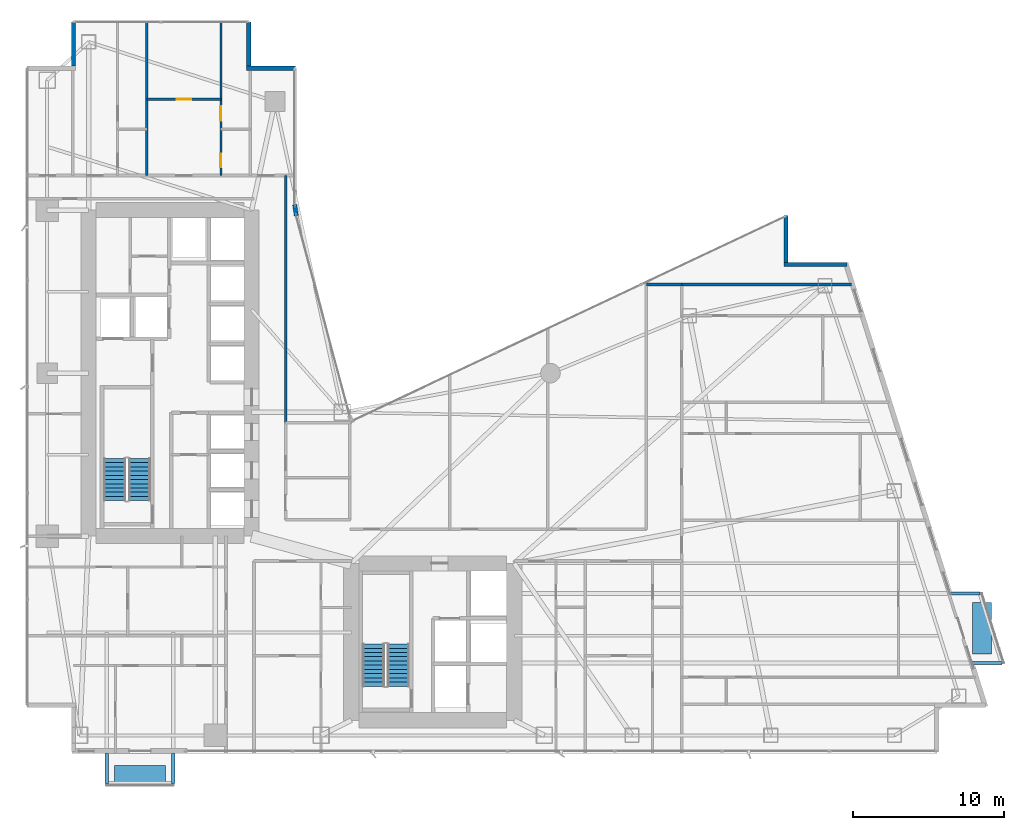
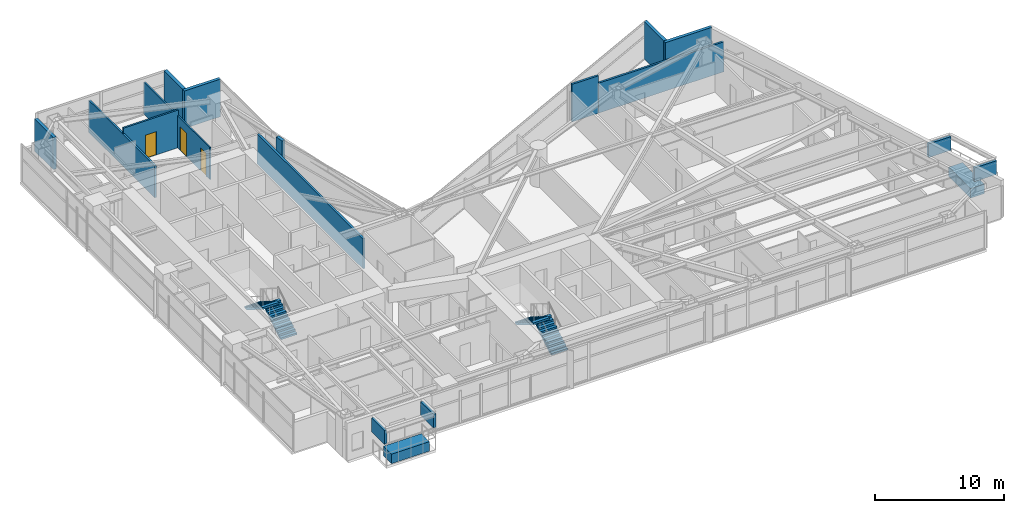
# One storey, part 26 of 30: 12 walls, 6 discrete accessories, 4 stair flights, 3 doors, 3 openings, 2 elements without a shape of their own.
"""IFC4 building model written with IfcOpenShell, lengths in metres."""

from ifc_helpers import new_model, si_unit, direction, frame, frame_2d, origin, origin_2d, place, context, subcontext, project, spatial, polyline, rectangle, outline, extrude, material, layer, layer_set, type_object, element, fill, aggregate, save


model = new_model("IFC4")

# Units and contexts
model_context = context("Model", 3, precision=1e-05, world=origin(), true_north=direction((0.0, 1.0)))
body_context = subcontext(model_context, "Body", "Model", "MODEL_VIEW")
ifc_project = project(units=[si_unit("LENGTHUNIT", "METRE"), si_unit("AREAUNIT", "SQUARE_METRE"), si_unit("VOLUMEUNIT", "CUBIC_METRE"), si_unit("PLANEANGLEUNIT", "RADIAN"), si_unit("MASSUNIT", "GRAM", prefix="KILO")], contexts=[model_context])

# Site, building, storey
site_placement = place(None, origin())
site = spatial("IfcSite", under=ifc_project, at=site_placement, CompositionType="ELEMENT")
building_placement = place(site_placement, origin())
building = spatial("IfcBuilding", under=site, at=building_placement, Name="Calvorn Quay Hotel", CompositionType="ELEMENT")
storey_placement = place(building_placement, frame((0.0, 0.0, 73.60009765625)))
storey = spatial("IfcBuildingStorey", under=building, at=storey_placement, Name="L17", CompositionType="ELEMENT", Elevation=73.60009765625)

# Walls
ifc_material_1 = material(Name="Acoustic Fireboard Steel-Stud Partition", Category="steel")
ifc_layer_1 = layer(ifc_material_1, 0.179931640625)
ifc_layer_set_1 = layer_set([ifc_layer_1], Name="WL-CORR-FIRE-180")
wall_type_1 = type_object("IfcWallType", Name="WL-CORR-FIRE-180", PredefinedType="PARTITIONING", material=ifc_layer_set_1)
wall_1_placement = place(storey_placement, frame((17.25, 24.300048828125, 0.0), z_axis=(0.0, 0.0, 1.0), x_axis=(0.0, 1.0, 0.0)))
element("IfcWall", 1, at=wall_1_placement, inside=storey, type_object=wall_type_1, Name="Partition Wall L17-WL-NW-CLOSURE-E", PredefinedType="PARTITIONING", context=body_context, shape_type="SweptSolid", body=[
    extrude(rectangle(XDim=16.39990234375, YDim=0.179931640625, at=frame_2d((8.199951171875, 0.0))), origin(), (0.0, 0.0, 1.0), 2.83984375),
])
wall_2_placement = place(storey_placement, frame((43.5, 33.47998046875, 0.0), z_axis=(0.0, 0.0, 1.0), x_axis=(1.0, 0.0, 0.0)))
element("IfcWall", 2, at=wall_2_placement, inside=storey, type_object=wall_type_1, Name="Partition Wall L17-WL-TIP-N", PredefinedType="PARTITIONING", context=body_context, shape_type="SweptSolid", body=[
    extrude(rectangle(XDim=11.260009765625, YDim=0.179931640625, at=frame_2d((5.6298828125, 0.0))), origin(), (0.0, 0.0, 1.0), 2.83984375),
])
wall_3_placement = place(storey_placement, frame((41.14990234375, 33.47998046875, 0.0), z_axis=(0.0, 0.0, 1.0), x_axis=(1.0, 0.0, 0.0)))
element("IfcWall", 3, at=wall_3_placement, inside=storey, type_object=wall_type_1, Name="Partition Wall L17-WL-CORR-TIP-NN", PredefinedType="PARTITIONING", context=body_context, shape_type="SweptSolid", body=[
    extrude(rectangle(XDim=2.35009765625, YDim=0.179931640625, at=frame_2d((1.175048828125, 0.0))), origin(), (0.0, 0.0, 1.0), 3.559814453125),
])

# Wall, openings, doors
ifc_material_2 = material(Name="Moisture-Resistant Tile-Backed Partition")
ifc_layer_2 = layer(ifc_material_2, 0.125)
ifc_layer_set_2 = layer_set([ifc_layer_2], Name="WL-ENSUITE-125")
wall_type_2 = type_object("IfcWallType", Name="WL-ENSUITE-125", PredefinedType="PARTITIONING", material=ifc_layer_set_2)
wall_4_placement = place(storey_placement, frame((12.9599609375, 40.699951171875, 0.0), z_axis=(0.0, 0.0, 1.0), x_axis=(0.0, 1.0, 0.0)))
wall_4 = element("IfcWall", 4, at=wall_4_placement, inside=storey, type_object=wall_type_2, Name="Partition Wall L17-WL-U05-BV", PredefinedType="PARTITIONING", context=body_context, shape_type="SweptSolid", body=[
    extrude(rectangle(XDim=10.239990234375, YDim=0.125, at=frame_2d((5.1201171875, 0.0))), origin(), (0.0, 0.0, 1.0), 3.039794921875),
])
opening_1_placement = place(wall_4_placement, frame((0.550048828125, 0.0, 0.0)))
opening_1 = element("IfcOpeningElement", 5, at=opening_1_placement, cuts=wall_4, Name="Opening D-L17-E05", PredefinedType="OPENING", context=body_context, shape_type="SweptSolid", body=[
    extrude(rectangle(XDim=0.89990234375, YDim=2.14990234375, at=frame_2d((0.449951171875, 1.074951171875))), frame((0.0, 0.072509765625, 0.0), z_axis=(0.0, -1.0, 0.0), x_axis=(1.0, 0.0, 0.0)), (0.0, 0.0, 1.0), 0.14501953125),
])
opening_2_placement = place(wall_4_placement, frame((3.6201171875, 0.0, 0.0)))
opening_2 = element("IfcOpeningElement", 6, at=opening_2_placement, cuts=wall_4, Name="Opening D-L17-S05", PredefinedType="OPENING", context=body_context, shape_type="SweptSolid", body=[
    extrude(rectangle(XDim=0.9599609375, YDim=2.199951171875, at=frame_2d((0.47998046875, 1.10009765625))), frame((0.0, 0.072509765625, 0.0), z_axis=(0.0, -1.0, 0.0), x_axis=(1.0, 0.0, 0.0)), (0.0, 0.0, 1.0), 0.14501953125),
])
ifc_material_3 = material(Name="Moisture-Sealed Timber En-Suite Door", Category="wood")
door_type_1 = type_object("IfcDoorType", Name="DR-ENSUITE-900", OperationType="NOTDEFINED", PredefinedType="DOOR", material=ifc_material_3)
door_1_placement = place(opening_1_placement, origin())
door_1 = element("IfcDoor", 7, at=door_1_placement, inside=storey, type_object=door_type_1, Name="En-Suite Door 05", OperationType="SINGLE_SWING_LEFT", OverallHeight=2.14990234375, OverallWidth=0.89990234375, PredefinedType="DOOR", context=body_context, shape_type="SweptSolid", body=[
    extrude(rectangle(XDim=0.89990234375, YDim=2.14990234375, at=frame_2d((0.449951171875, 1.074951171875))), frame((0.0, 0.02490234375, 0.0), z_axis=(0.0, -1.0, 0.0), x_axis=(1.0, 0.0, 0.0)), (0.0, 0.0, 1.0), 0.050048828125),
])
fill(opening_1, door_1)
ifc_material_4 = material(Name="Solid Timber Internal Suite Door", Category="wood")
door_type_2 = type_object("IfcDoorType", Name="DR-SUITE-INT-960", OperationType="NOTDEFINED", PredefinedType="DOOR", material=ifc_material_4)
door_2_placement = place(opening_2_placement, origin())
door_2 = element("IfcDoor", 8, at=door_2_placement, inside=storey, type_object=door_type_2, Name="Botanical Winter Garden Door 05", OperationType="SINGLE_SWING_RIGHT", OverallHeight=2.199951171875, OverallWidth=0.9599609375, PredefinedType="DOOR", context=body_context, shape_type="SweptSolid", body=[
    extrude(rectangle(XDim=0.9599609375, YDim=2.199951171875, at=frame_2d((0.47998046875, 1.10009765625))), frame((0.0, 0.02490234375, 0.0), z_axis=(0.0, -1.0, 0.0), x_axis=(1.0, 0.0, 0.0)), (0.0, 0.0, 1.0), 0.050048828125),
])
fill(opening_2, door_2)

# Walls
ifc_material_5 = material(Name="Concrete C40", Category="concrete")
ifc_layer_3 = layer(ifc_material_5, 0.320068359375)
ifc_layer_set_3 = layer_set([ifc_layer_3], Name="WL-EXT-SPANDREL-320")
wall_type_3 = type_object("IfcWallType", Name="WL-EXT-SPANDREL-320", PredefinedType="SOLIDWALL", material=ifc_layer_set_3)
wall_5_placement = place(storey_placement, frame((17.9619140625, 38.030029296875, 0.0), z_axis=(0.0, 0.0, 1.0), x_axis=(-0.15141125477, 0.988470855377, 0.0)))
element("IfcWall", 9, at=wall_5_placement, inside=storey, type_object=wall_type_3, Name="Inner Court Corner Pier L17-ICJ2", PredefinedType="SOLIDWALL", context=body_context, shape_type="SweptSolid", body=[
    extrude(rectangle(XDim=0.738525390625, YDim=0.280029296875, at=frame_2d((0.369140625, 0.0))), origin(), (0.0, 0.0, 1.0), 3.559814453125),
])
wall_6_placement = place(storey_placement, frame((54.43994140625, 34.800048828125, 0.0), z_axis=(0.0, 0.0, 1.0), x_axis=(-1.0, 0.0, 0.0)))
element("IfcWall", 10, at=wall_6_placement, inside=storey, type_object=wall_type_3, Name="Notched Corner Spandrel L17-NE1", PredefinedType="SOLIDWALL", context=body_context, shape_type="SweptSolid", body=[
    extrude(rectangle(XDim=4.179931640625, YDim=0.280029296875, at=frame_2d((2.08984375, 0.0))), origin(), (0.0, 0.0, 1.0), 3.559814453125),
])
wall_7_placement = place(storey_placement, frame((50.39990234375, 34.93994140625, 0.0), z_axis=(0.0, 0.0, 1.0), x_axis=(0.0, 1.0, 0.0)))
element("IfcWall", 11, at=wall_7_placement, inside=storey, type_object=wall_type_3, Name="Notched Corner Spandrel L17-NE2", PredefinedType="SOLIDWALL", context=body_context, shape_type="SweptSolid", body=[
    extrude(rectangle(XDim=3.10009765625, YDim=0.280029296875, at=frame_2d((1.550048828125, 0.0))), origin(), (0.0, 0.0, 1.0), 3.559814453125),
])
wall_8_placement = place(storey_placement, frame((17.89990234375, 47.800048828125, 0.0), z_axis=(0.0, 0.0, 1.0), x_axis=(-1.0, 0.0, 0.0)))
element("IfcWall", 12, at=wall_8_placement, inside=storey, type_object=wall_type_3, Name="Notched Corner Spandrel L17-NWE1", PredefinedType="SOLIDWALL", context=body_context, shape_type="SweptSolid", body=[
    extrude(rectangle(XDim=3.239990234375, YDim=0.280029296875, at=frame_2d((1.6201171875, 0.0))), origin(), (0.0, 0.0, 1.0), 3.559814453125),
])
wall_9_placement = place(storey_placement, frame((14.800048828125, 47.93994140625, 0.0), z_axis=(0.0, 0.0, 1.0), x_axis=(0.0, 1.0, 0.0)))
element("IfcWall", 13, at=wall_9_placement, inside=storey, type_object=wall_type_3, Name="Notched Corner Spandrel L17-NWE2", PredefinedType="SOLIDWALL", context=body_context, shape_type="SweptSolid", body=[
    extrude(rectangle(XDim=2.93994140625, YDim=0.280029296875, at=frame_2d((1.469970703125, 0.0))), origin(), (0.0, 0.0, 1.0), 3.559814453125),
])
wall_10_placement = place(storey_placement, frame((3.199951171875, 50.8798828125, 0.0), z_axis=(0.0, 0.0, 1.0), x_axis=(0.0, -1.0, 0.0)))
element("IfcWall", 14, at=wall_10_placement, inside=storey, type_object=wall_type_3, Name="Notched Corner Spandrel L17-NW1", PredefinedType="SOLIDWALL", context=body_context, shape_type="SweptSolid", body=[
    extrude(rectangle(XDim=2.93994140625, YDim=0.280029296875, at=frame_2d((1.469970703125, 0.0))), origin(), (0.0, 0.0, 1.0), 3.039794921875),
])

# Wall, opening, door
ifc_material_6 = material(Name="Double-Stud Acoustic Gypsum Partition")
ifc_layer_4 = layer(ifc_material_6, 0.159912109375)
ifc_layer_set_4 = layer_set([ifc_layer_4], Name="WL-INTERSUITE-160")
wall_type_4 = type_object("IfcWallType", Name="WL-INTERSUITE-160", PredefinedType="PARTITIONING", material=ifc_layer_set_4)
wall_11_placement = place(storey_placement, frame((8.050048828125, 45.75, 0.0), z_axis=(0.0, 0.0, 1.0), x_axis=(1.0, 0.0, 0.0)))
wall_11 = element("IfcWall", 15, at=wall_11_placement, inside=storey, type_object=wall_type_4, Name="Partition Wall L17-WL-U05-MSP", PredefinedType="PARTITIONING", context=body_context, shape_type="SweptSolid", body=[
    extrude(rectangle(XDim=4.909912109375, YDim=0.159912109375, at=frame_2d((2.455078125, 0.0))), origin(), (0.0, 0.0, 1.0), 3.559814453125),
])
opening_3_placement = place(wall_11_placement, frame((1.97998046875, 0.0, 0.0)))
opening_3 = element("IfcOpeningElement", 16, at=opening_3_placement, cuts=wall_11, Name="Opening D-L17-M05", PredefinedType="OPENING", context=body_context, shape_type="SweptSolid", body=[
    extrude(rectangle(XDim=0.9599609375, YDim=2.199951171875, at=frame_2d((0.47998046875, 1.10009765625))), frame((0.0, 0.08984375, 0.0), z_axis=(0.0, -1.0, 0.0), x_axis=(1.0, 0.0, 0.0)), (0.0, 0.0, 1.0), 0.179931640625),
])
door_3_placement = place(opening_3_placement, origin())
door_3 = element("IfcDoor", 17, at=door_3_placement, inside=storey, type_object=door_type_2, Name="Suite Bedroom Door 05", OperationType="SINGLE_SWING_LEFT", OverallHeight=2.199951171875, OverallWidth=0.9599609375, PredefinedType="DOOR", context=body_context, shape_type="SweptSolid", body=[
    extrude(rectangle(XDim=0.9599609375, YDim=2.199951171875, at=frame_2d((0.47998046875, 1.10009765625))), frame((0.0, 0.02490234375, 0.0), z_axis=(0.0, -1.0, 0.0), x_axis=(1.0, 0.0, 0.0)), (0.0, 0.0, 1.0), 0.050048828125),
])
fill(opening_3, door_3)

# Wall
wall_12_placement = place(storey_placement, frame((8.050048828125, 40.699951171875, 0.0), z_axis=(0.0, 0.0, 1.0), x_axis=(0.0, 1.0, 0.0)))
element("IfcWall", 18, at=wall_12_placement, inside=storey, type_object=wall_type_4, Name="Partition Wall L17-WL-NW-DIV-1", PredefinedType="PARTITIONING", context=body_context, shape_type="SweptSolid", body=[
    extrude(rectangle(XDim=10.239990234375, YDim=0.159912109375, at=frame_2d((5.1201171875, 0.0))), origin(), (0.0, 0.0, 1.0), 3.039794921875),
])

# Stair, stair flights
ifc_material_7 = material(Name="Concrete C40", Category="concrete")
stair_type = type_object("IfcStairType", Name="STR-CORE-DOGLEG", PredefinedType="HALF_TURN_STAIR", material=ifc_material_7)
stair_1_placement = place(storey_placement, origin())
stair_1 = element("IfcStair", 19, at=stair_1_placement, inside=storey, type_object=stair_type, Name="L17 ST-W", PredefinedType="HALF_TURN_STAIR")
ifc_material_8 = material(Name="Concrete C40", Category="concrete")
stair_flight_type = type_object("IfcStairFlightType", Name="FLT-CORE-1550", PredefinedType="STRAIGHT", material=ifc_material_8)
stair_flight_1_placement = place(storey_placement, frame((7.574951171875, 19.14990234375, 0.0), z_axis=(0.0, 0.0, 1.0), x_axis=(0.0, 1.0, 0.0)))
stair_flight_1 = element("IfcStairFlight", 20, at=stair_flight_1_placement, type_object=stair_flight_type, Name="ST-W flight 1", NumberOfRisers=11, NumberOfTreads=10, PredefinedType="STRAIGHT", RiserHeight=0.172727273, TreadLength=0.28, context=body_context, shape_type="SweptSolid", body=[
    extrude(outline(polyline([(0.0, 0.0), (0.0, 0.172607421875), (0.280029296875, 0.172607421875), (0.280029296875, 0.345458984375), (0.56005859375, 0.345458984375), (0.56005859375, 0.51806640625), (0.840087890625, 0.51806640625), (0.840087890625, 0.69091796875), (1.1201171875, 0.69091796875), (1.1201171875, 0.863525390625), (1.39990234375, 0.863525390625), (1.39990234375, 1.036376953125), (1.679931640625, 1.036376953125), (1.679931640625, 1.208984375), (1.9599609375, 1.208984375), (1.9599609375, 1.3818359375), (2.239990234375, 1.3818359375), (2.239990234375, 1.554443359375), (2.52001953125, 1.554443359375), (2.52001953125, 1.727294921875), (2.800048828125, 1.727294921875), (2.800048828125, 1.89990234375), (2.800048828125, 1.551025390625), (0.285400390625, 0.0), (0.0, 0.0)])), frame((0.0, 0.72509765625, 0.0), z_axis=(0.0, -1.0, 0.0), x_axis=(1.0, 0.0, 0.0)), (0.0, 0.0, 1.0), 1.449951171875),
])
stair_flight_2_placement = place(storey_placement, frame((5.925048828125, 21.949951171875, 1.89990234375), z_axis=(0.0, 0.0, 1.0), x_axis=(0.0, -1.0, 0.0)))
stair_flight_2 = element("IfcStairFlight", 21, at=stair_flight_2_placement, type_object=stair_flight_type, Name="ST-W flight 2", NumberOfRisers=11, NumberOfTreads=10, PredefinedType="STRAIGHT", RiserHeight=0.172727273, TreadLength=0.28, context=body_context, shape_type="SweptSolid", body=[
    extrude(outline(polyline([(0.0, 0.0), (0.0, 0.172607421875), (0.280029296875, 0.172607421875), (0.280029296875, 0.345458984375), (0.56005859375, 0.345458984375), (0.56005859375, 0.51806640625), (0.840087890625, 0.51806640625), (0.840087890625, 0.69091796875), (1.1201171875, 0.69091796875), (1.1201171875, 0.863525390625), (1.39990234375, 0.863525390625), (1.39990234375, 1.036376953125), (1.679931640625, 1.036376953125), (1.679931640625, 1.208984375), (1.9599609375, 1.208984375), (1.9599609375, 1.3818359375), (2.239990234375, 1.3818359375), (2.239990234375, 1.554443359375), (2.52001953125, 1.554443359375), (2.52001953125, 1.727294921875), (2.800048828125, 1.727294921875), (2.800048828125, 1.89990234375), (2.800048828125, 1.551025390625), (0.285400390625, 0.0), (0.0, 0.0)])), frame((0.0, 0.72509765625, 0.0), z_axis=(0.0, -1.0, 0.0), x_axis=(1.0, 0.0, 0.0)), (0.0, 0.0, 1.0), 1.449951171875),
])
aggregate(stair_1, [stair_flight_1, stair_flight_2])

stair_2_placement = place(storey_placement, origin())
stair_2 = element("IfcStair", 22, at=stair_2_placement, inside=storey, type_object=stair_type, Name="L17 ST-E", PredefinedType="HALF_TURN_STAIR")
stair_flight_3_placement = place(storey_placement, frame((24.72509765625, 6.85009765625, 0.0), z_axis=(0.0, 0.0, 1.0), x_axis=(0.0, 1.0, 0.0)))
stair_flight_3 = element("IfcStairFlight", 23, at=stair_flight_3_placement, type_object=stair_flight_type, Name="ST-E flight 1", NumberOfRisers=11, NumberOfTreads=10, PredefinedType="STRAIGHT", RiserHeight=0.172727273, TreadLength=0.28, context=body_context, shape_type="SweptSolid", body=[
    extrude(outline(polyline([(0.0, 0.0), (0.0, 0.172607421875), (0.280029296875, 0.172607421875), (0.280029296875, 0.345458984375), (0.56005859375, 0.345458984375), (0.56005859375, 0.51806640625), (0.840087890625, 0.51806640625), (0.840087890625, 0.69091796875), (1.1201171875, 0.69091796875), (1.1201171875, 0.863525390625), (1.39990234375, 0.863525390625), (1.39990234375, 1.036376953125), (1.679931640625, 1.036376953125), (1.679931640625, 1.208984375), (1.9599609375, 1.208984375), (1.9599609375, 1.3818359375), (2.239990234375, 1.3818359375), (2.239990234375, 1.554443359375), (2.52001953125, 1.554443359375), (2.52001953125, 1.727294921875), (2.800048828125, 1.727294921875), (2.800048828125, 1.89990234375), (2.800048828125, 1.551025390625), (0.285400390625, 0.0), (0.0, 0.0)])), frame((0.0, 0.72509765625, 0.0), z_axis=(0.0, -1.0, 0.0), x_axis=(1.0, 0.0, 0.0)), (0.0, 0.0, 1.0), 1.449951171875),
])
stair_flight_4_placement = place(storey_placement, frame((23.074951171875, 9.64990234375, 1.89990234375), z_axis=(0.0, 0.0, 1.0), x_axis=(0.0, -1.0, 0.0)))
stair_flight_4 = element("IfcStairFlight", 24, at=stair_flight_4_placement, type_object=stair_flight_type, Name="ST-E flight 2", NumberOfRisers=11, NumberOfTreads=10, PredefinedType="STRAIGHT", RiserHeight=0.172727273, TreadLength=0.28, context=body_context, shape_type="SweptSolid", body=[
    extrude(outline(polyline([(0.0, 0.0), (0.0, 0.172607421875), (0.280029296875, 0.172607421875), (0.280029296875, 0.345458984375), (0.56005859375, 0.345458984375), (0.56005859375, 0.51806640625), (0.840087890625, 0.51806640625), (0.840087890625, 0.69091796875), (1.1201171875, 0.69091796875), (1.1201171875, 0.863525390625), (1.39990234375, 0.863525390625), (1.39990234375, 1.036376953125), (1.679931640625, 1.036376953125), (1.679931640625, 1.208984375), (1.9599609375, 1.208984375), (1.9599609375, 1.3818359375), (2.239990234375, 1.3818359375), (2.239990234375, 1.554443359375), (2.52001953125, 1.554443359375), (2.52001953125, 1.727294921875), (2.800048828125, 1.727294921875), (2.800048828125, 1.89990234375), (2.800048828125, 1.551025390625), (0.285400390625, 0.0), (0.0, 0.0)])), frame((0.0, 0.72509765625, 0.0), z_axis=(0.0, -1.0, 0.0), x_axis=(1.0, 0.0, 0.0)), (0.0, 0.0, 1.0), 1.449951171875),
])
aggregate(stair_2, [stair_flight_3, stair_flight_4])

# Discrete accessories
ifc_material_9 = material(Name="Steel Q355B", Category="steel")
discrete_accessory_type_1 = type_object("IfcDiscreteAccessoryType", Name="ACC-BALC-STRUT", PredefinedType="BRACKET", material=ifc_material_9)
for number, where, z_axis, x_axis, name in (
    (25, (63.712890625, 8.39990234375, 2.0146484375), (0.0, 0.0, 1.0), (1.0, 0.0, 0.0), "Exterior Balcony Steel Bracket L18-BALC-E-A"),
    (26, (62.262939453125, 13.0, 2.0146484375), (0.0, 0.0, 1.0), (1.0, 0.0, 0.0), "Exterior Balcony Steel Bracket L18-BALC-E-B"),
):
    element("IfcDiscreteAccessory", number, at=place(storey_placement, frame(where, z_axis=z_axis, x_axis=x_axis)), inside=storey, type_object=discrete_accessory_type_1, Name=name, PredefinedType="BRACKET", context=body_context, shape_type="SweptSolid", body=[
        extrude(rectangle(XDim=1.989990234375, YDim=0.219970703125, at=origin_2d()), origin(), (0.0, 0.0, 1.0), 1.300048828125),
    ])
for number, where, z_axis, x_axis, name in (
    (27, (5.39990234375, 1.405029296875, 2.0146484375), (0.0, 0.0, 1.0), (1.0, 0.0, 0.0), "Exterior Balcony Steel Bracket L18-BALC-S-A"),
    (28, (9.800048828125, 1.405029296875, 2.0146484375), (0.0, 0.0, 1.0), (1.0, 0.0, 0.0), "Exterior Balcony Steel Bracket L18-BALC-S-B"),
):
    element("IfcDiscreteAccessory", number, at=place(storey_placement, frame(where, z_axis=z_axis, x_axis=x_axis)), inside=storey, type_object=discrete_accessory_type_1, Name=name, PredefinedType="BRACKET", context=body_context, shape_type="SweptSolid", body=[
        extrude(rectangle(XDim=0.219970703125, YDim=1.989990234375, at=origin_2d()), origin(), (0.0, 0.0, 1.0), 1.300048828125),
    ])
ifc_material_10 = material(Name="Precast concrete C40", Category="concrete")
discrete_accessory_type_2 = type_object("IfcDiscreteAccessoryType", Name="ACC-TREE-PLANTER", PredefinedType="USERDEFINED", material=ifc_material_10)
discrete_accessory_1_placement = place(storey_placement, frame((63.403076171875, 10.699951171875, 0.0), z_axis=(0.0, 0.0, 1.0), x_axis=(1.0, 0.0, 0.0)))
element("IfcDiscreteAccessory", 29, at=discrete_accessory_1_placement, inside=storey, type_object=discrete_accessory_type_2, Name="Subtropical Tree Structural Planter L17-BALC-E", ObjectType="PLANTER", PredefinedType="USERDEFINED", context=body_context, shape_type="SweptSolid", body=[
    extrude(rectangle(XDim=1.25, YDim=3.39990234375, at=origin_2d()), origin(), (0.0, 0.0, 1.0), 0.89990234375),
])
discrete_accessory_2_placement = place(storey_placement, frame((7.60009765625, 0.989990234375, 0.0), z_axis=(0.0, 0.0, 1.0), x_axis=(1.0, 0.0, 0.0)))
element("IfcDiscreteAccessory", 30, at=discrete_accessory_2_placement, inside=storey, type_object=discrete_accessory_type_2, Name="Subtropical Tree Structural Planter L17-BALC-S", ObjectType="PLANTER", PredefinedType="USERDEFINED", context=body_context, shape_type="SweptSolid", body=[
    extrude(rectangle(XDim=3.39990234375, YDim=1.25, at=origin_2d()), origin(), (0.0, 0.0, 1.0), 0.89990234375),
])

save(model, "model.ifc")
